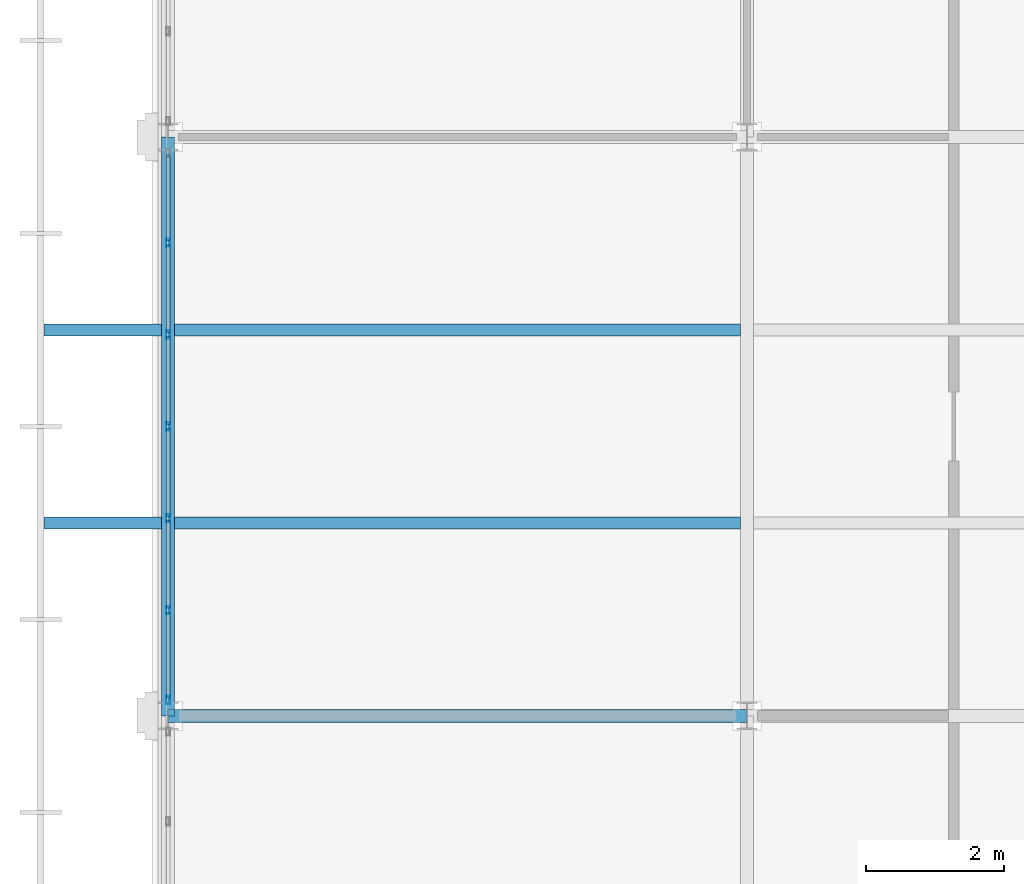
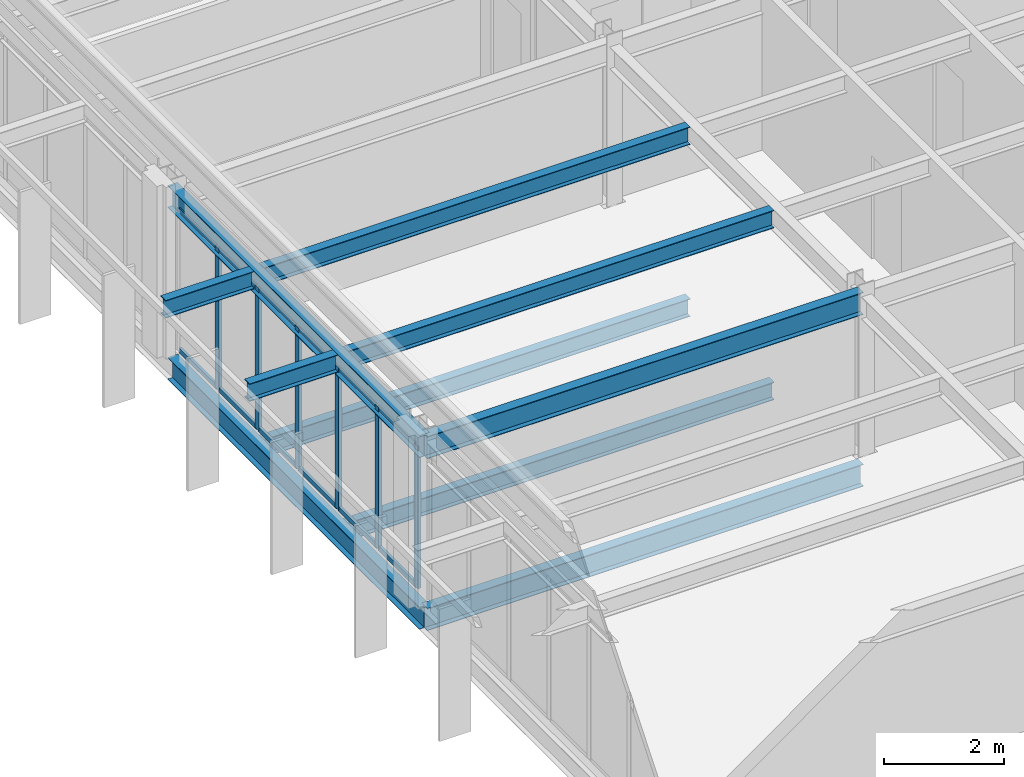
# One storey, part 13 of 31: 18 members, 10 beams, 1 element without a shape of its own.
"""IFC4 building model written with IfcOpenShell, lengths in metres."""

from ifc_helpers import new_model, si_unit, direction, frame, origin, origin_2d, place, context, subcontext, project, spatial, hollow_rectangle, i_section, extrude, material, material_profile, profile_set, type_object, element, aggregate, save


model = new_model("IFC4")

# Units and contexts
model_context = context("Model", 3, precision=1e-05, world=origin(), true_north=direction((0.0, 1.0)))
body_context = subcontext(model_context, "Body", "Model", "MODEL_VIEW")
ifc_project = project(units=[si_unit("LENGTHUNIT", "METRE"), si_unit("AREAUNIT", "SQUARE_METRE"), si_unit("VOLUMEUNIT", "CUBIC_METRE"), si_unit("PLANEANGLEUNIT", "RADIAN"), si_unit("MASSUNIT", "GRAM", prefix="KILO")], contexts=[model_context])

# Site, building, storey
site_placement = place(None, origin())
site = spatial("IfcSite", under=ifc_project, at=site_placement, CompositionType="ELEMENT")
building_placement = place(site_placement, origin())
building = spatial("IfcBuilding", under=site, at=building_placement, Name="Catenary Quay Ferry Terminal", CompositionType="ELEMENT")
storey_placement = place(building_placement, frame((0.0, 0.0, 20.60009765625)))
storey = spatial("IfcBuildingStorey", under=building, at=storey_placement, Name="L04", CompositionType="ELEMENT", Elevation=20.60009765625)

# Beams
ifc_material_1 = material(Name="Steel S355", Category="steel")
ifc_material_profile_1 = material_profile(ifc_material_1, i_section(OverallWidth=0.18994140625, OverallDepth=0.453369140625, WebThickness=0.008544921875, FlangeThickness=0.0126953125, at=origin_2d()), Name="UB 457x191x67")
ifc_profile_set_1 = profile_set([ifc_material_profile_1], Name="Steel S355")
beam_type_1 = type_object("IfcBeamType", Name="B1 UB 457x191x67", PredefinedType="BEAM", material=ifc_profile_set_1)
beam_1_placement = place(storey_placement, frame((25.199951171875, 184.800048828125, -0.47705078125), z_axis=(1.0, 0.0, 0.0), x_axis=(0.0, 1.0, 0.0)))
element("IfcBeam", 1, at=beam_1_placement, inside=storey, type_object=beam_type_1, Name="Beam B1-004", PredefinedType="BEAM", context=body_context, shape_type="SweptSolid", body=[
    extrude(i_section(OverallWidth=0.18994140625, OverallDepth=0.453369140625, WebThickness=0.008544921875, FlangeThickness=0.0126953125, at=origin_2d()), origin(), (0.0, 0.0, 1.0), 8.400146484375),
])
beam_2_placement = place(storey_placement, frame((25.199951171875, 184.800048828125, -0.47705078125), z_axis=(0.0, 1.0, 0.0), x_axis=(-1.0, 0.0, 0.0)))
element("IfcBeam", 2, at=beam_2_placement, inside=storey, type_object=beam_type_1, Name="Beam B1-013", PredefinedType="BEAM", context=body_context, shape_type="SweptSolid", body=[
    extrude(i_section(OverallWidth=0.18994140625, OverallDepth=0.453369140625, WebThickness=0.008544921875, FlangeThickness=0.0126953125, at=origin_2d()), origin(), (0.0, 0.0, 1.0), 8.39990234375),
])
beam_3_placement = place(storey_placement, frame((25.199951171875, 184.800048828125, 3.02294921875), z_axis=(1.0, 0.0, 0.0), x_axis=(0.0, 1.0, 0.0)))
element("IfcBeam", 3, at=beam_3_placement, inside=storey, type_object=beam_type_1, Name="Beam B1-003", PredefinedType="BEAM", context=body_context, shape_type="SweptSolid", body=[
    extrude(i_section(OverallWidth=0.18994140625, OverallDepth=0.453369140625, WebThickness=0.008544921875, FlangeThickness=0.0126953125, at=origin_2d()), origin(), (0.0, 0.0, 1.0), 8.400146484375),
])
beam_4_placement = place(storey_placement, frame((25.199951171875, 184.800048828125, 3.02294921875), z_axis=(0.0, 1.0, 0.0), x_axis=(-1.0, 0.0, 0.0)))
element("IfcBeam", 4, at=beam_4_placement, inside=storey, type_object=beam_type_1, Name="Beam B1-010", PredefinedType="BEAM", context=body_context, shape_type="SweptSolid", body=[
    extrude(i_section(OverallWidth=0.18994140625, OverallDepth=0.453369140625, WebThickness=0.008544921875, FlangeThickness=0.0126953125, at=origin_2d()), origin(), (0.0, 0.0, 1.0), 8.39990234375),
])
ifc_material_2 = material(Name="Steel S355", Category="steel")
ifc_material_profile_2 = material_profile(ifc_material_2, i_section(OverallWidth=0.169921875, OverallDepth=0.360107421875, WebThickness=0.008056640625, FlangeThickness=0.0126953125, at=origin_2d()), Name="IPE 360")
ifc_profile_set_2 = profile_set([ifc_material_profile_2], Name="Steel S355")
beam_type_2 = type_object("IfcBeamType", Name="B7 IPE 360", PredefinedType="BEAM", material=ifc_profile_set_2)
for number, where, z_axis, x_axis, name in (
    (5, (25.294921875, 187.60009765625, -0.43017578125), (1.0, 0.0, 0.0), (0.0, 1.0, 0.0), "Beam B7-013"),
    (6, (25.294921875, 190.39990234375, -0.43017578125), (1.0, 0.0, 0.0), (0.0, 1.0, 0.0), "Beam B7-016"),
    (7, (25.294921875, 187.60009765625, 3.06982421875), (1.0, 0.0, 0.0), (0.0, 1.0, 0.0), "Beam B7-009"),
    (8, (25.294921875, 190.39990234375, 3.06982421875), (1.0, 0.0, 0.0), (0.0, 1.0, 0.0), "Beam B7-011"),
):
    element("IfcBeam", number, at=place(storey_placement, frame(where, z_axis=z_axis, x_axis=x_axis)), inside=storey, type_object=beam_type_2, Name=name, PredefinedType="BEAM", context=body_context, shape_type="SweptSolid", body=[
        extrude(i_section(OverallWidth=0.169921875, OverallDepth=0.360107421875, WebThickness=0.008056640625, FlangeThickness=0.0126953125, at=origin_2d()), origin(), (0.0, 0.0, 1.0), 8.2099609375),
    ])
ifc_material_3 = material(Name="Steel S355", Category="steel")
ifc_material_profile_3 = material_profile(ifc_material_3, i_section(OverallWidth=0.169921875, OverallDepth=0.360107421875, WebThickness=0.008056640625, FlangeThickness=0.0126953125, at=origin_2d()), Name="IPE 360")
ifc_profile_set_3 = profile_set([ifc_material_profile_3], Name="Steel S355")
beam_type_3 = type_object("IfcBeamType", Name="B9 IPE 360", PredefinedType="BEAM", material=ifc_profile_set_3)
for number, where, z_axis, x_axis, name in (
    (9, (25.1044921875, 187.60009765625, 3.06982421875), (-1.0, 0.0, 0.0), (0.0, -1.0, 0.0), "Eaves cantilever W5"),
    (10, (25.1044921875, 190.39990234375, 3.06982421875), (-1.0, 0.0, 0.0), (0.0, -1.0, 0.0), "Eaves cantilever W6"),
):
    element("IfcBeam", number, at=place(storey_placement, frame(where, z_axis=z_axis, x_axis=x_axis)), inside=storey, type_object=beam_type_3, Name=name, PredefinedType="BEAM", context=body_context, shape_type="SweptSolid", body=[
        extrude(i_section(OverallWidth=0.169921875, OverallDepth=0.360107421875, WebThickness=0.008056640625, FlangeThickness=0.0126953125, at=origin_2d()), origin(), (0.0, 0.0, 1.0), 1.70458984375),
    ])

# Curtain wall, members
ifc_material_4 = material(Name="Aluminium and glass", Category="aluminium")
curtain_wall_type = type_object("IfcCurtainWallType", Name="CWW5", PredefinedType="NOTDEFINED", material=ifc_material_4)
curtain_wall_placement = place(storey_placement, origin())
curtain_wall = element("IfcCurtainWall", 11, at=curtain_wall_placement, inside=storey, type_object=curtain_wall_type, Name="Wing curtain wall CW156", PredefinedType="NOTDEFINED")
ifc_material_5 = material(Name="Aluminium", Category="aluminium")
ifc_material_profile_4 = material_profile(ifc_material_5, hollow_rectangle(XDim=0.06005859375, YDim=0.1201171875, WallThickness=0.0048828125, at=origin_2d()), Name="MU4")
ifc_profile_set_4 = profile_set([ifc_material_profile_4], Name="Aluminium")
member_type_1 = type_object("IfcMemberType", Name="MU4", PredefinedType="MULLION", material=ifc_profile_set_4)
member_1_placement = place(storey_placement, frame((25.199951171875, 185.030029296875, 0.0), z_axis=(0.0, 0.0, 1.0), x_axis=(-1.0, 0.0, 0.0)))
member_1 = element("IfcMember", 12, at=member_1_placement, type_object=member_type_1, Name="CW156 mullion 1", PredefinedType="MULLION", context=body_context, shape_type="SweptSolid", body=[
    extrude(hollow_rectangle(XDim=0.06005859375, YDim=0.1201171875, WallThickness=0.0048828125, at=origin_2d()), origin(), (0.0, 0.0, 1.0), 2.89990234375),
])
member_2_placement = place(storey_placement, frame((25.199951171875, 186.333251953125, 0.0), z_axis=(0.0, 0.0, 1.0), x_axis=(-1.0, 0.0, 0.0)))
member_2 = element("IfcMember", 13, at=member_2_placement, type_object=member_type_1, Name="CW156 mullion 2", PredefinedType="MULLION", context=body_context, shape_type="SweptSolid", body=[
    extrude(hollow_rectangle(XDim=0.06005859375, YDim=0.1201171875, WallThickness=0.0048828125, at=origin_2d()), origin(), (0.0, 0.0, 1.0), 2.89990234375),
])
member_3_placement = place(storey_placement, frame((25.199951171875, 187.666748046875, 0.0), z_axis=(0.0, 0.0, 1.0), x_axis=(-1.0, 0.0, 0.0)))
member_3 = element("IfcMember", 14, at=member_3_placement, type_object=member_type_1, Name="CW156 mullion 3", PredefinedType="MULLION", context=body_context, shape_type="SweptSolid", body=[
    extrude(hollow_rectangle(XDim=0.06005859375, YDim=0.1201171875, WallThickness=0.0048828125, at=origin_2d()), origin(), (0.0, 0.0, 1.0), 2.89990234375),
])
member_4_placement = place(storey_placement, frame((25.199951171875, 189.0, 0.0), z_axis=(0.0, 0.0, 1.0), x_axis=(-1.0, 0.0, 0.0)))
member_4 = element("IfcMember", 15, at=member_4_placement, type_object=member_type_1, Name="CW156 mullion 4", PredefinedType="MULLION", context=body_context, shape_type="SweptSolid", body=[
    extrude(hollow_rectangle(XDim=0.06005859375, YDim=0.1201171875, WallThickness=0.0048828125, at=origin_2d()), origin(), (0.0, 0.0, 1.0), 2.89990234375),
])
member_5_placement = place(storey_placement, frame((25.199951171875, 190.333251953125, 0.0), z_axis=(0.0, 0.0, 1.0), x_axis=(-1.0, 0.0, 0.0)))
member_5 = element("IfcMember", 16, at=member_5_placement, type_object=member_type_1, Name="CW156 mullion 5", PredefinedType="MULLION", context=body_context, shape_type="SweptSolid", body=[
    extrude(hollow_rectangle(XDim=0.06005859375, YDim=0.1201171875, WallThickness=0.0048828125, at=origin_2d()), origin(), (0.0, 0.0, 1.0), 2.89990234375),
])
member_6_placement = place(storey_placement, frame((25.199951171875, 191.666748046875, 0.0), z_axis=(0.0, 0.0, 1.0), x_axis=(-1.0, 0.0, 0.0)))
member_6 = element("IfcMember", 17, at=member_6_placement, type_object=member_type_1, Name="CW156 mullion 6", PredefinedType="MULLION", context=body_context, shape_type="SweptSolid", body=[
    extrude(hollow_rectangle(XDim=0.06005859375, YDim=0.1201171875, WallThickness=0.0048828125, at=origin_2d()), origin(), (0.0, 0.0, 1.0), 2.89990234375),
])
ifc_material_6 = material(Name="Aluminium", Category="aluminium")
ifc_material_profile_5 = material_profile(ifc_material_6, hollow_rectangle(XDim=0.050048828125, YDim=0.10009765625, WallThickness=0.00390625, at=origin_2d()), Name="TR4")
ifc_profile_set_5 = profile_set([ifc_material_profile_5], Name="Aluminium")
member_type_2 = type_object("IfcMemberType", Name="TR4", PredefinedType="USERDEFINED", material=ifc_profile_set_5)
member_7_placement = place(storey_placement, frame((25.199951171875, 185.06005859375, 0.02490234375), z_axis=(0.0, 1.0, 0.0), x_axis=(-1.0, 0.0, 0.0)))
member_7 = element("IfcMember", 18, at=member_7_placement, type_object=member_type_2, Name="CW156 transom 1.1", ObjectType="TRANSOM", PredefinedType="USERDEFINED", context=body_context, shape_type="SweptSolid", body=[
    extrude(hollow_rectangle(XDim=0.050048828125, YDim=0.10009765625, WallThickness=0.00390625, at=origin_2d()), origin(), (0.0, 0.0, 1.0), 1.2431640625),
])
member_8_placement = place(storey_placement, frame((25.199951171875, 185.06005859375, 2.875), z_axis=(0.0, 1.0, 0.0), x_axis=(-1.0, 0.0, 0.0)))
member_8 = element("IfcMember", 19, at=member_8_placement, type_object=member_type_2, Name="CW156 transom 1.2", ObjectType="TRANSOM", PredefinedType="USERDEFINED", context=body_context, shape_type="SweptSolid", body=[
    extrude(hollow_rectangle(XDim=0.050048828125, YDim=0.10009765625, WallThickness=0.00390625, at=origin_2d()), origin(), (0.0, 0.0, 1.0), 1.2431640625),
])
member_9_placement = place(storey_placement, frame((25.199951171875, 186.36328125, 0.02490234375), z_axis=(0.0, 1.0, 0.0), x_axis=(-1.0, 0.0, 0.0)))
member_9 = element("IfcMember", 20, at=member_9_placement, type_object=member_type_2, Name="CW156 transom 2.1", ObjectType="TRANSOM", PredefinedType="USERDEFINED", context=body_context, shape_type="SweptSolid", body=[
    extrude(hollow_rectangle(XDim=0.050048828125, YDim=0.10009765625, WallThickness=0.00390625, at=origin_2d()), origin(), (0.0, 0.0, 1.0), 1.2734375),
])
member_10_placement = place(storey_placement, frame((25.199951171875, 186.36328125, 2.875), z_axis=(0.0, 1.0, 0.0), x_axis=(-1.0, 0.0, 0.0)))
member_10 = element("IfcMember", 21, at=member_10_placement, type_object=member_type_2, Name="CW156 transom 2.2", ObjectType="TRANSOM", PredefinedType="USERDEFINED", context=body_context, shape_type="SweptSolid", body=[
    extrude(hollow_rectangle(XDim=0.050048828125, YDim=0.10009765625, WallThickness=0.00390625, at=origin_2d()), origin(), (0.0, 0.0, 1.0), 1.2734375),
])
member_11_placement = place(storey_placement, frame((25.199951171875, 187.69677734375, 0.02490234375), z_axis=(0.0, 1.0, 0.0), x_axis=(-1.0, 0.0, 0.0)))
member_11 = element("IfcMember", 22, at=member_11_placement, type_object=member_type_2, Name="CW156 transom 3.1", ObjectType="TRANSOM", PredefinedType="USERDEFINED", context=body_context, shape_type="SweptSolid", body=[
    extrude(hollow_rectangle(XDim=0.050048828125, YDim=0.10009765625, WallThickness=0.00390625, at=origin_2d()), origin(), (0.0, 0.0, 1.0), 1.273193359375),
])
member_12_placement = place(storey_placement, frame((25.199951171875, 187.69677734375, 2.875), z_axis=(0.0, 1.0, 0.0), x_axis=(-1.0, 0.0, 0.0)))
member_12 = element("IfcMember", 23, at=member_12_placement, type_object=member_type_2, Name="CW156 transom 3.2", ObjectType="TRANSOM", PredefinedType="USERDEFINED", context=body_context, shape_type="SweptSolid", body=[
    extrude(hollow_rectangle(XDim=0.050048828125, YDim=0.10009765625, WallThickness=0.00390625, at=origin_2d()), origin(), (0.0, 0.0, 1.0), 1.273193359375),
])
member_13_placement = place(storey_placement, frame((25.199951171875, 189.030029296875, 0.02490234375), z_axis=(0.0, 1.0, 0.0), x_axis=(-1.0, 0.0, 0.0)))
member_13 = element("IfcMember", 24, at=member_13_placement, type_object=member_type_2, Name="CW156 transom 4.1", ObjectType="TRANSOM", PredefinedType="USERDEFINED", context=body_context, shape_type="SweptSolid", body=[
    extrude(hollow_rectangle(XDim=0.050048828125, YDim=0.10009765625, WallThickness=0.00390625, at=origin_2d()), origin(), (0.0, 0.0, 1.0), 1.273193359375),
])
member_14_placement = place(storey_placement, frame((25.199951171875, 189.030029296875, 2.875), z_axis=(0.0, 1.0, 0.0), x_axis=(-1.0, 0.0, 0.0)))
member_14 = element("IfcMember", 25, at=member_14_placement, type_object=member_type_2, Name="CW156 transom 4.2", ObjectType="TRANSOM", PredefinedType="USERDEFINED", context=body_context, shape_type="SweptSolid", body=[
    extrude(hollow_rectangle(XDim=0.050048828125, YDim=0.10009765625, WallThickness=0.00390625, at=origin_2d()), origin(), (0.0, 0.0, 1.0), 1.273193359375),
])
member_15_placement = place(storey_placement, frame((25.199951171875, 190.36328125, 0.02490234375), z_axis=(0.0, 1.0, 0.0), x_axis=(-1.0, 0.0, 0.0)))
member_15 = element("IfcMember", 26, at=member_15_placement, type_object=member_type_2, Name="CW156 transom 5.1", ObjectType="TRANSOM", PredefinedType="USERDEFINED", context=body_context, shape_type="SweptSolid", body=[
    extrude(hollow_rectangle(XDim=0.050048828125, YDim=0.10009765625, WallThickness=0.00390625, at=origin_2d()), origin(), (0.0, 0.0, 1.0), 1.2734375),
])
member_16_placement = place(storey_placement, frame((25.199951171875, 190.36328125, 2.875), z_axis=(0.0, 1.0, 0.0), x_axis=(-1.0, 0.0, 0.0)))
member_16 = element("IfcMember", 27, at=member_16_placement, type_object=member_type_2, Name="CW156 transom 5.2", ObjectType="TRANSOM", PredefinedType="USERDEFINED", context=body_context, shape_type="SweptSolid", body=[
    extrude(hollow_rectangle(XDim=0.050048828125, YDim=0.10009765625, WallThickness=0.00390625, at=origin_2d()), origin(), (0.0, 0.0, 1.0), 1.2734375),
])
member_17_placement = place(storey_placement, frame((25.199951171875, 191.69677734375, 0.02490234375), z_axis=(0.0, 1.0, 0.0), x_axis=(-1.0, 0.0, 0.0)))
member_17 = element("IfcMember", 28, at=member_17_placement, type_object=member_type_2, Name="CW156 transom 6.1", ObjectType="TRANSOM", PredefinedType="USERDEFINED", context=body_context, shape_type="SweptSolid", body=[
    extrude(hollow_rectangle(XDim=0.050048828125, YDim=0.10009765625, WallThickness=0.00390625, at=origin_2d()), origin(), (0.0, 0.0, 1.0), 1.2431640625),
])
member_18_placement = place(storey_placement, frame((25.199951171875, 191.69677734375, 2.875), z_axis=(0.0, 1.0, 0.0), x_axis=(-1.0, 0.0, 0.0)))
member_18 = element("IfcMember", 29, at=member_18_placement, type_object=member_type_2, Name="CW156 transom 6.2", ObjectType="TRANSOM", PredefinedType="USERDEFINED", context=body_context, shape_type="SweptSolid", body=[
    extrude(hollow_rectangle(XDim=0.050048828125, YDim=0.10009765625, WallThickness=0.00390625, at=origin_2d()), origin(), (0.0, 0.0, 1.0), 1.2431640625),
])
aggregate(curtain_wall, [member_1, member_2, member_3, member_4, member_5, member_6, member_7, member_8, member_9, member_10, member_11, member_12, member_13, member_14, member_15, member_16, member_17, member_18])

save(model, "model.ifc")
